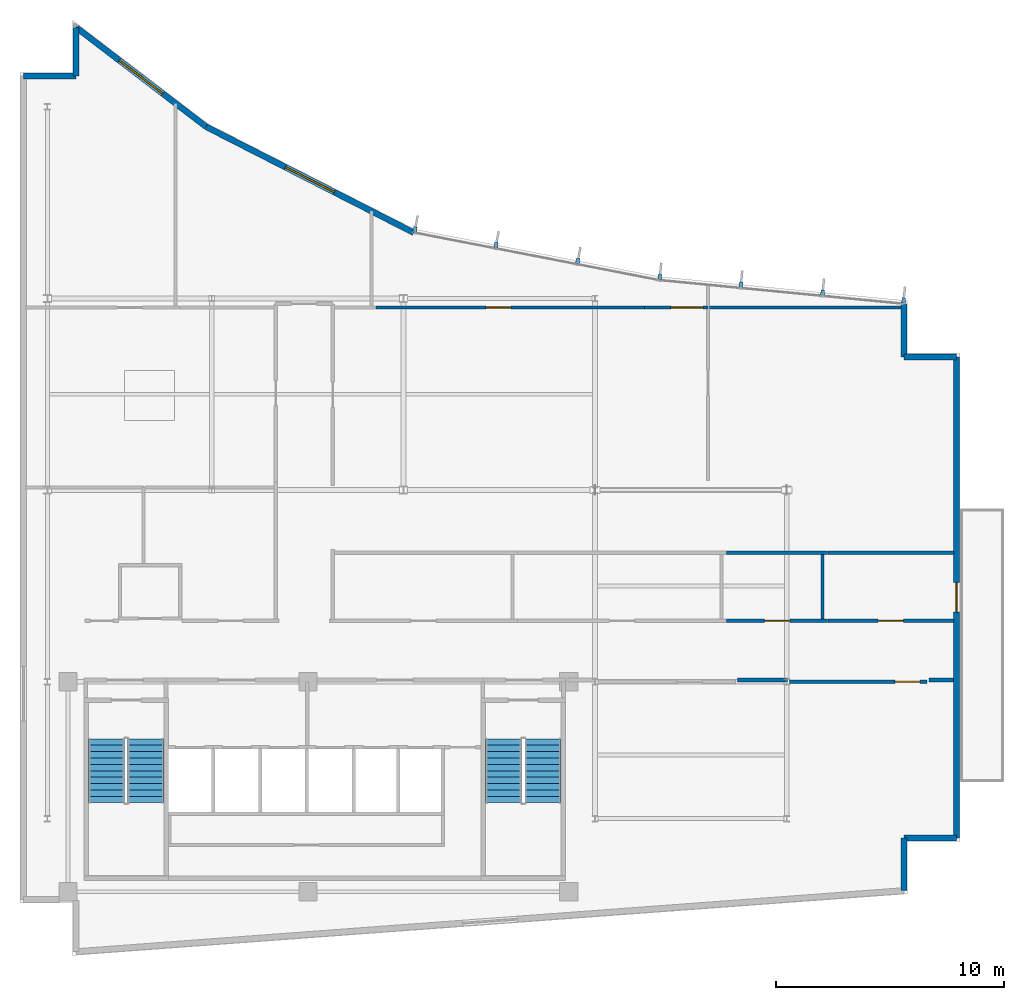
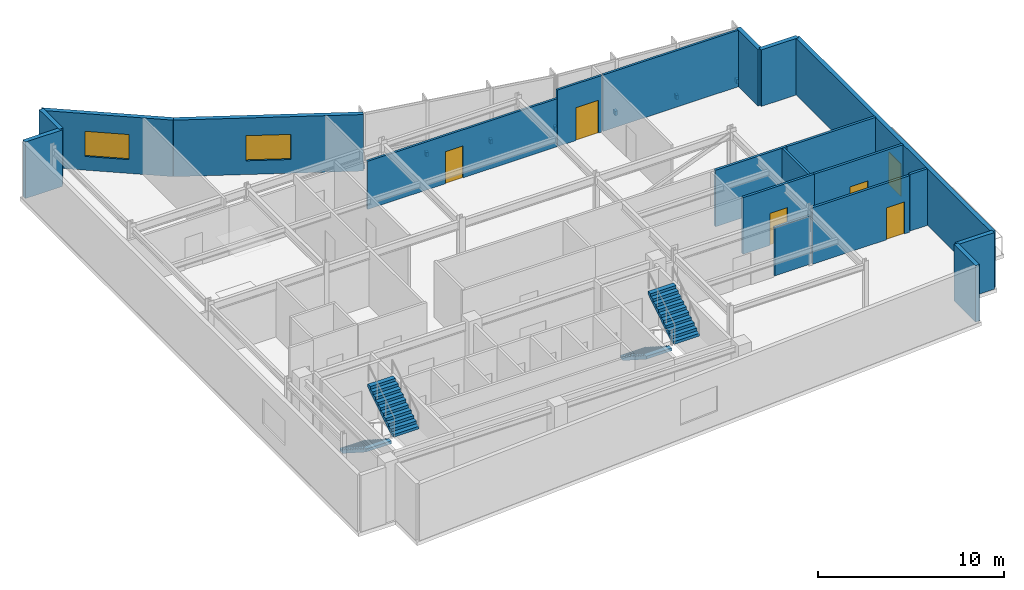
# One storey, part 13 of 16: 20 walls, 7 discrete accessories, 6 doors, 4 stair flights, 2 windows, 8 openings, 2 elements without a shape of their own.
"""IFC4 building model written with IfcOpenShell, lengths in metres."""

from ifc_helpers import new_model, si_unit, direction, frame, frame_2d, origin, origin_2d, place, context, subcontext, project, spatial, polyline, rectangle, outline, extrude, material, layer, layer_set, type_object, element, fill, aggregate, save


model = new_model("IFC4")

# Units and contexts
model_context = context("Model", 3, precision=1e-05, world=origin(), true_north=direction((0.0, 1.0)))
body_context = subcontext(model_context, "Body", "Model", "MODEL_VIEW")
ifc_project = project(units=[si_unit("LENGTHUNIT", "METRE"), si_unit("AREAUNIT", "SQUARE_METRE"), si_unit("VOLUMEUNIT", "CUBIC_METRE"), si_unit("PLANEANGLEUNIT", "RADIAN"), si_unit("MASSUNIT", "GRAM", prefix="KILO")], contexts=[model_context])

# Site, building, storey
site_placement = place(None, origin())
site = spatial("IfcSite", under=ifc_project, at=site_placement, CompositionType="ELEMENT")
building_placement = place(site_placement, origin())
building = spatial("IfcBuilding", under=site, at=building_placement, Name="Varnakote Quay Hospital", CompositionType="ELEMENT")
storey_placement = place(building_placement, frame((0.0, 0.0, 272.35009765625)))
storey = spatial("IfcBuildingStorey", under=building, at=storey_placement, Name="L67", CompositionType="ELEMENT", Elevation=272.35009765625)

# Walls
ifc_material_1 = material(Name="Fire-rated acoustic gypsum stud wall", Category="gypsum")
ifc_layer_1 = layer(ifc_material_1, 0.159912109375)
ifc_layer_set_1 = layer_set([ifc_layer_1], Name="Fire-rated acoustic gypsum stud wall")
wall_type_1 = type_object("IfcWallType", Name="WL-COMP-160", PredefinedType="PARTITIONING", material=ifc_layer_set_1)
wall_1_placement = place(storey_placement, frame((31.439208984375, 12.080078125, 0.0), z_axis=(0.0, 0.0, 1.0), x_axis=(1.0, 0.0, 0.0)))
element("IfcWall", 1, at=wall_1_placement, inside=storey, type_object=wall_type_1, Name="L67 Corridor South Gap Wall", PredefinedType="PARTITIONING", context=body_context, shape_type="SweptSolid", body=[
    extrude(rectangle(XDim=2.198486328125, YDim=0.159912109375, at=frame_2d((1.09912109375, 0.0))), origin(), (0.0, 0.0, 1.0), 3.156982421875),
])
wall_2_placement = place(storey_placement, frame((39.83935546875, 12.080078125, 0.0), z_axis=(0.0, 0.0, 1.0), x_axis=(1.0, 0.0, 0.0)))
element("IfcWall", 2, at=wall_2_placement, inside=storey, type_object=wall_type_1, Name="L67 Corridor South Gap Wall", PredefinedType="PARTITIONING", context=body_context, shape_type="SweptSolid", body=[
    extrude(rectangle(XDim=1.060546875, YDim=0.159912109375, at=frame_2d((0.5302734375, 0.0))), origin(), (0.0, 0.0, 1.0), 3.7099609375),
])
ifc_material_2 = material(Name="Precast concrete N50 (f'c 50 MPa)", Category="concrete")
ifc_layer_2 = layer(ifc_material_2, 0.260009765625)
ifc_layer_set_2 = layer_set([ifc_layer_2], Name="Precast concrete N50 (f'c 50 MPa)")
wall_type_2 = type_object("IfcWallType", Name="WL-EXT-BRICK-260", PredefinedType="STANDARD", material=ifc_layer_set_2)
wall_3_placement = place(storey_placement, frame((38.739990234375, 2.8486328125, 0.0), z_axis=(0.0, 0.0, 1.0), x_axis=(0.0, 1.0, 0.0)))
element("IfcWall", 3, at=wall_3_placement, inside=storey, type_object=wall_type_2, Name="L67 Brick-Faced Precast Exterior Wall", PredefinedType="STANDARD", context=body_context, shape_type="SweptSolid", body=[
    extrude(rectangle(XDim=2.311279296875, YDim=0.260009765625, at=frame_2d((1.15576171875, 0.0))), origin(), (0.0, 0.0, 1.0), 3.7099609375),
])
wall_4_placement = place(storey_placement, frame((38.739990234375, 5.159912109375, 0.0), z_axis=(0.0, 0.0, 1.0), x_axis=(1.0, 0.0, 0.0)))
element("IfcWall", 4, at=wall_4_placement, inside=storey, type_object=wall_type_2, Name="L67 Brick-Faced Precast Exterior Wall", PredefinedType="STANDARD", context=body_context, shape_type="SweptSolid", body=[
    extrude(rectangle(XDim=2.300048828125, YDim=0.260009765625, at=frame_2d((1.14990234375, 0.0))), origin(), (0.0, 0.0, 1.0), 3.7099609375),
])

# Wall, opening, door
wall_5_placement = place(storey_placement, frame((41.0400390625, 5.159912109375, 0.0), z_axis=(0.0, 0.0, 1.0), x_axis=(0.0, 1.0, 0.0)))
wall_5 = element("IfcWall", 5, at=wall_5_placement, inside=storey, type_object=wall_type_2, Name="L67 Healing Terrace Portal Brick Wall", PredefinedType="STANDARD", context=body_context, shape_type="SweptSolid", body=[
    extrude(rectangle(XDim=21.080078125, YDim=0.260009765625, at=frame_2d((10.5400390625, 0.0))), origin(), (0.0, 0.0, 1.0), 3.7099609375),
])
opening_1_placement = place(wall_5_placement, frame((9.889892578125, 0.0, 0.0)))
opening_1 = element("IfcOpeningElement", 6, at=opening_1_placement, cuts=wall_5, Name="Opening DT-L67", PredefinedType="OPENING", context=body_context, shape_type="SweptSolid", body=[
    extrude(rectangle(XDim=1.300048828125, YDim=2.14990234375, at=frame_2d((0.64990234375, 1.074951171875))), frame((0.0, 0.139892578125, 0.0), z_axis=(0.0, -1.0, 0.0), x_axis=(1.0, 0.0, 0.0)), (0.0, 0.0, 1.0), 0.280029296875),
])
ifc_material_3 = material(Name="Anodised aluminium glazed terrace door", Category="aluminium")
door_type_1 = type_object("IfcDoorType", Name="DR-EXT-TERR-1300x2150", OperationType="NOTDEFINED", PredefinedType="DOOR", material=ifc_material_3)
door_1_placement = place(opening_1_placement, origin())
door_1 = element("IfcDoor", 7, at=door_1_placement, inside=storey, type_object=door_type_1, Name="L67 Waterfront Healing Terrace Door", OperationType="SINGLE_SWING_RIGHT", OverallHeight=2.14990234375, OverallWidth=1.300048828125, PredefinedType="DOOR", context=body_context, shape_type="SweptSolid", body=[
    extrude(rectangle(XDim=1.300048828125, YDim=2.14990234375, at=frame_2d((0.64990234375, 1.074951171875))), frame((0.0, 0.02490234375, 0.0), z_axis=(0.0, -1.0, 0.0), x_axis=(1.0, 0.0, 0.0)), (0.0, 0.0, 1.0), 0.050048828125),
])
fill(opening_1, door_1)

# Walls
wall_6_placement = place(storey_placement, frame((41.0400390625, 26.239990234375, 0.0), z_axis=(0.0, 0.0, 1.0), x_axis=(-1.0, 0.0, 0.0)))
element("IfcWall", 8, at=wall_6_placement, inside=storey, type_object=wall_type_2, Name="L67 Brick-Faced Precast Exterior Wall", PredefinedType="STANDARD", context=body_context, shape_type="SweptSolid", body=[
    extrude(rectangle(XDim=2.300048828125, YDim=0.260009765625, at=frame_2d((1.14990234375, 0.0))), origin(), (0.0, 0.0, 1.0), 3.7099609375),
])
wall_7_placement = place(storey_placement, frame((38.739990234375, 26.239990234375, 0.0), z_axis=(0.0, 0.0, 1.0), x_axis=(0.0, 1.0, 0.0)))
element("IfcWall", 9, at=wall_7_placement, inside=storey, type_object=wall_type_2, Name="L67 Brick-Faced Precast Exterior Wall", PredefinedType="STANDARD", context=body_context, shape_type="SweptSolid", body=[
    extrude(rectangle(XDim=2.314697265625, YDim=0.260009765625, at=frame_2d((1.1572265625, 0.0))), origin(), (0.0, 0.0, 1.0), 3.7099609375),
])

# Wall, opening, window
wall_8_placement = place(storey_placement, frame((17.25146484375, 31.68115234375, 0.0), z_axis=(0.0, 0.0, 1.0), x_axis=(-0.89069629535, 0.454598844532, 0.0)))
wall_8 = element("IfcWall", 10, at=wall_8_placement, inside=storey, type_object=wall_type_2, Name="L67 Brick-Faced Precast Exterior Wall", PredefinedType="STANDARD", context=body_context, shape_type="SweptSolid", body=[
    extrude(rectangle(XDim=10.213623046875, YDim=0.260009765625, at=frame_2d((5.10693359375, 0.0))), origin(), (0.0, 0.0, 1.0), 3.7099609375),
])
opening_2_placement = place(wall_8_placement, frame((3.90673828125, 0.0, 0.89990234375)))
opening_2 = element("IfcOpeningElement", 11, at=opening_2_placement, cuts=wall_8, Name="Opening WN-0271", PredefinedType="OPENING", context=body_context, shape_type="SweptSolid", body=[
    extrude(rectangle(XDim=2.39990234375, YDim=1.64990234375, at=frame_2d((1.199951171875, 0.824951171875))), frame((0.0, 0.139892578125, 0.0), z_axis=(0.0, -1.0, 0.0), x_axis=(1.0, 0.0, 0.0)), (0.0, 0.0, 1.0), 0.280029296875),
])
ifc_material_4 = material(Name="Double-glazed low-E solar glass", Category="glass")
window_type = type_object("IfcWindowType", Name="WIN-CLIN-2400x1650", PartitioningType="SINGLE_PANEL", PredefinedType="WINDOW", material=ifc_material_4)
window_1_placement = place(opening_2_placement, origin())
window_1 = element("IfcWindow", 12, at=window_1_placement, inside=storey, type_object=window_type, Name="L67 Solar-Control Clinical Window", OverallHeight=1.64990234375, OverallWidth=2.39990234375, PartitioningType="SINGLE_PANEL", PredefinedType="WINDOW", context=body_context, shape_type="SweptSolid", body=[
    extrude(rectangle(XDim=2.39990234375, YDim=1.64990234375, at=frame_2d((1.199951171875, 0.824951171875))), frame((0.0, 0.030029296875, 0.0), z_axis=(0.0, -1.0, 0.0), x_axis=(1.0, 0.0, 0.0)), (0.0, 0.0, 1.0), 0.06005859375),
])
fill(opening_2, window_1)

wall_9_placement = place(storey_placement, frame((8.154296875, 36.32421875, 0.0), z_axis=(0.0, 0.0, 1.0), x_axis=(-0.794522176632, 0.607235136368, 0.0)))
wall_9 = element("IfcWall", 13, at=wall_9_placement, inside=storey, type_object=wall_type_2, Name="L67 Brick-Faced Precast Exterior Wall", PredefinedType="STANDARD", context=body_context, shape_type="SweptSolid", body=[
    extrude(rectangle(XDim=7.1669921875, YDim=0.260009765625, at=frame_2d((3.58349609375, 0.0))), origin(), (0.0, 0.0, 1.0), 3.7099609375),
])
opening_3_placement = place(wall_9_placement, frame((2.383544921875, 0.0, 0.89990234375)))
opening_3 = element("IfcOpeningElement", 14, at=opening_3_placement, cuts=wall_9, Name="Opening WN-0272", PredefinedType="OPENING", context=body_context, shape_type="SweptSolid", body=[
    extrude(rectangle(XDim=2.39990234375, YDim=1.64990234375, at=frame_2d((1.199951171875, 0.824951171875))), frame((0.0, 0.139892578125, 0.0), z_axis=(0.0, -1.0, 0.0), x_axis=(1.0, 0.0, 0.0)), (0.0, 0.0, 1.0), 0.280029296875),
])
window_2_placement = place(opening_3_placement, origin())
window_2 = element("IfcWindow", 15, at=window_2_placement, inside=storey, type_object=window_type, Name="L67 Solar-Control Clinical Window", OverallHeight=1.64990234375, OverallWidth=2.39990234375, PartitioningType="SINGLE_PANEL", PredefinedType="WINDOW", context=body_context, shape_type="SweptSolid", body=[
    extrude(rectangle(XDim=2.39990234375, YDim=1.64990234375, at=frame_2d((1.199951171875, 0.824951171875))), frame((0.0, 0.030029296875, 0.0), z_axis=(0.0, -1.0, 0.0), x_axis=(1.0, 0.0, 0.0)), (0.0, 0.0, 1.0), 0.06005859375),
])
fill(opening_3, window_2)

# Walls
wall_10_placement = place(storey_placement, frame((2.4599609375, 40.67626953125, 0.0), z_axis=(0.0, 0.0, 1.0), x_axis=(0.0, -1.0, 0.0)))
element("IfcWall", 16, at=wall_10_placement, inside=storey, type_object=wall_type_2, Name="L67 Brick-Faced Precast Exterior Wall", PredefinedType="STANDARD", context=body_context, shape_type="SweptSolid", body=[
    extrude(rectangle(XDim=2.13623046875, YDim=0.260009765625, at=frame_2d((1.068115234375, 0.0))), origin(), (0.0, 0.0, 1.0), 3.7099609375),
])
wall_11_placement = place(storey_placement, frame((2.4599609375, 38.5400390625, 0.0), z_axis=(0.0, 0.0, 1.0), x_axis=(-1.0, 0.0, 0.0)))
element("IfcWall", 17, at=wall_11_placement, inside=storey, type_object=wall_type_2, Name="L67 Brick-Faced Precast Exterior Wall", PredefinedType="STANDARD", context=body_context, shape_type="SweptSolid", body=[
    extrude(rectangle(XDim=2.300048828125, YDim=0.260009765625, at=frame_2d((1.14990234375, 0.0))), origin(), (0.0, 0.0, 1.0), 3.7099609375),
])
ifc_material_5 = material(Name="Smoke-proof clinical partition", Category="gypsum")
ifc_layer_3 = layer(ifc_material_5, 0.135009765625)
ifc_layer_set_3 = layer_set([ifc_layer_3], Name="Smoke-proof clinical partition")
wall_type_3 = type_object("IfcWallType", Name="WL-SMOKE-135", PredefinedType="PARTITIONING", material=ifc_layer_set_3)
wall_12_placement = place(storey_placement, frame((35.169921875, 14.760009765625, 0.0), z_axis=(0.0, 0.0, 1.0), x_axis=(0.0, 1.0, 0.0)))
element("IfcWall", 18, at=wall_12_placement, inside=storey, type_object=wall_type_3, Name="L67 Clinical Interior Partition", PredefinedType="PARTITIONING", context=body_context, shape_type="SweptSolid", body=[
    extrude(rectangle(XDim=2.81005859375, YDim=0.135009765625, at=frame_2d((1.405029296875, 0.0))), origin(), (0.0, 0.0, 1.0), 3.7099609375),
])

# Wall, opening, door
wall_13_placement = place(storey_placement, frame((27.3583984375, 28.39990234375, 0.0), z_axis=(0.0, 0.0, 1.0), x_axis=(-1.0, 0.0, 0.0)))
wall_13 = element("IfcWall", 19, at=wall_13_placement, inside=storey, type_object=wall_type_3, Name="L67 Clinical Interior Partition", PredefinedType="PARTITIONING", context=body_context, shape_type="SweptSolid", body=[
    extrude(rectangle(XDim=11.767822265625, YDim=0.135009765625, at=frame_2d((5.8837890625, 0.0))), origin(), (0.0, 0.0, 1.0), 3.156982421875),
])
opening_4_placement = place(wall_13_placement, frame((5.847412109375, 0.0, 0.0)))
opening_4 = element("IfcOpeningElement", 20, at=opening_4_placement, cuts=wall_13, Name="Opening D-L67-MD11", PredefinedType="OPENING", context=body_context, shape_type="SweptSolid", body=[
    extrude(rectangle(XDim=1.10009765625, YDim=2.10009765625, at=frame_2d((0.550048828125, 1.050048828125))), frame((0.0, 0.077392578125, 0.0), z_axis=(0.0, -1.0, 0.0), x_axis=(1.0, 0.0, 0.0)), (0.0, 0.0, 1.0), 0.155029296875),
])
ifc_material_6 = material(Name="Acoustic timber clinical consult door", Category="wood")
door_type_2 = type_object("IfcDoorType", Name="DR-CLIN-FD30S-1100x2100", OperationType="NOTDEFINED", PredefinedType="DOOR", material=ifc_material_6)
door_2_placement = place(opening_4_placement, origin())
door_2 = element("IfcDoor", 21, at=door_2_placement, inside=storey, type_object=door_type_2, Name="L67 Clinical Audit Meeting Room Door", OperationType="SINGLE_SWING_LEFT", OverallHeight=2.10009765625, OverallWidth=1.10009765625, PredefinedType="DOOR", context=body_context, shape_type="SweptSolid", body=[
    extrude(rectangle(XDim=1.10009765625, YDim=2.10009765625, at=frame_2d((0.550048828125, 1.050048828125))), frame((0.0, 0.02490234375, 0.0), z_axis=(0.0, -1.0, 0.0), x_axis=(1.0, 0.0, 0.0)), (0.0, 0.0, 1.0), 0.050048828125),
])
fill(opening_4, door_2)

wall_14_placement = place(storey_placement, frame((30.14990234375, 28.39990234375, 0.0), z_axis=(0.0, 0.0, 1.0), x_axis=(-1.0, 0.0, 0.0)))
wall_14 = element("IfcWall", 22, at=wall_14_placement, inside=storey, type_object=wall_type_3, Name="L67 Clinical Interior Partition", PredefinedType="PARTITIONING", context=body_context, shape_type="SweptSolid", body=[
    extrude(rectangle(XDim=2.789306640625, YDim=0.135009765625, at=frame_2d((1.39453125, 0.0))), origin(), (0.0, 0.0, 1.0), 3.7099609375),
])
opening_5_placement = place(wall_14_placement, frame((0.224609375, 0.0, 0.0)))
opening_5 = element("IfcOpeningElement", 23, at=opening_5_placement, cuts=wall_14, Name="Opening D-L67-UST01", PredefinedType="OPENING", context=body_context, shape_type="SweptSolid", body=[
    extrude(rectangle(XDim=1.39990234375, YDim=2.14990234375, at=frame_2d((0.699951171875, 1.074951171875))), frame((0.0, 0.077392578125, 0.0), z_axis=(0.0, -1.0, 0.0), x_axis=(1.0, 0.0, 0.0)), (0.0, 0.0, 1.0), 0.155029296875),
])
ifc_material_7 = material(Name="Fire-rated acoustic plant room door")
door_type_3 = type_object("IfcDoorType", Name="DR-PLANT-FD60-1400x2150", OperationType="NOTDEFINED", PredefinedType="DOOR", material=ifc_material_7)
door_3_placement = place(opening_5_placement, origin())
door_3 = element("IfcDoor", 24, at=door_3_placement, inside=storey, type_object=door_type_3, Name="L67 Ward Clean Equipment Store 01 Door", OperationType="SINGLE_SWING_RIGHT", OverallHeight=2.14990234375, OverallWidth=1.39990234375, PredefinedType="DOOR", context=body_context, shape_type="SweptSolid", body=[
    extrude(rectangle(XDim=1.39990234375, YDim=2.14990234375, at=frame_2d((0.699951171875, 1.074951171875))), frame((0.0, 0.02490234375, 0.0), z_axis=(0.0, -1.0, 0.0), x_axis=(1.0, 0.0, 0.0)), (0.0, 0.0, 1.0), 0.050048828125),
])
fill(opening_5, door_3)

# Wall
wall_15_placement = place(storey_placement, frame((38.739990234375, 28.39990234375, 0.0), z_axis=(0.0, 0.0, 1.0), x_axis=(-1.0, 0.0, 0.0)))
element("IfcWall", 25, at=wall_15_placement, inside=storey, type_object=wall_type_3, Name="L67 Clinical Interior Partition", PredefinedType="PARTITIONING", context=body_context, shape_type="SweptSolid", body=[
    extrude(rectangle(XDim=8.532470703125, YDim=0.135009765625, at=frame_2d((4.26611328125, 0.0))), origin(), (0.0, 0.0, 1.0), 3.7099609375),
])

# Wall, opening, door
ifc_material_8 = material(Name="Fire-rated clinical gypsum partition", Category="gypsum")
ifc_layer_4 = layer(ifc_material_8, 0.14990234375)
ifc_layer_set_4 = layer_set([ifc_layer_4], Name="Fire-rated clinical gypsum partition")
wall_type_4 = type_object("IfcWallType", Name="WL-WARD-150", PredefinedType="PARTITIONING", material=ifc_layer_set_4)
wall_16_placement = place(storey_placement, frame((39.75, 12.0, 0.0), z_axis=(0.0, 0.0, 1.0), x_axis=(-1.0, 0.0, 0.0)))
wall_16 = element("IfcWall", 26, at=wall_16_placement, inside=storey, type_object=wall_type_4, Name="L67 Clinical Interior Partition", PredefinedType="PARTITIONING", context=body_context, shape_type="SweptSolid", body=[
    extrude(rectangle(XDim=6.02294921875, YDim=0.14990234375, at=frame_2d((3.011474609375, 0.0))), origin(), (0.0, 0.0, 1.0), 3.7099609375),
])
opening_6_placement = place(wall_16_placement, frame((0.31298828125, 0.0, 0.0)))
opening_6 = element("IfcOpeningElement", 27, at=opening_6_placement, cuts=wall_16, Name="Opening D-L67-RM1", PredefinedType="OPENING", context=body_context, shape_type="SweptSolid", body=[
    extrude(rectangle(XDim=1.10009765625, YDim=2.10009765625, at=frame_2d((0.550048828125, 1.050048828125))), frame((0.0, 0.0849609375, 0.0), z_axis=(0.0, -1.0, 0.0), x_axis=(1.0, 0.0, 0.0)), (0.0, 0.0, 1.0), 0.169921875),
])
door_4_placement = place(opening_6_placement, origin())
door_4 = element("IfcDoor", 28, at=door_4_placement, inside=storey, type_object=door_type_2, Name="L67 Cardiac Telemetry Treatment Suite Door", OperationType="SINGLE_SWING_LEFT", OverallHeight=2.10009765625, OverallWidth=1.10009765625, PredefinedType="DOOR", context=body_context, shape_type="SweptSolid", body=[
    extrude(rectangle(XDim=1.10009765625, YDim=2.10009765625, at=frame_2d((0.550048828125, 1.050048828125))), frame((0.0, 0.02490234375, 0.0), z_axis=(0.0, -1.0, 0.0), x_axis=(1.0, 0.0, 0.0)), (0.0, 0.0, 1.0), 0.050048828125),
])
fill(opening_6, door_4)

wall_17_placement = place(storey_placement, frame((35.39599609375, 14.679931640625, 0.0), z_axis=(0.0, 0.0, 1.0), x_axis=(-1.0, 0.0, 0.0)))
wall_17 = element("IfcWall", 29, at=wall_17_placement, inside=storey, type_object=wall_type_4, Name="L67 Clinical Interior Partition", PredefinedType="PARTITIONING", context=body_context, shape_type="SweptSolid", body=[
    extrude(rectangle(XDim=4.427978515625, YDim=0.14990234375, at=frame_2d((2.2138671875, 0.0))), origin(), (0.0, 0.0, 1.0), 3.7099609375),
])
opening_7_placement = place(wall_17_placement, frame((1.6640625, 0.0, 0.0)))
opening_7 = element("IfcOpeningElement", 30, at=opening_7_placement, cuts=wall_17, Name="Opening D-L67-MD05", PredefinedType="OPENING", context=body_context, shape_type="SweptSolid", body=[
    extrude(rectangle(XDim=1.10009765625, YDim=2.10009765625, at=frame_2d((0.550048828125, 1.050048828125))), frame((0.0, 0.0849609375, 0.0), z_axis=(0.0, -1.0, 0.0), x_axis=(1.0, 0.0, 0.0)), (0.0, 0.0, 1.0), 0.169921875),
])
door_5_placement = place(opening_7_placement, origin())
door_5 = element("IfcDoor", 31, at=door_5_placement, inside=storey, type_object=door_type_2, Name="L67 Surgical Fellowship Teaching Room Door", OperationType="SINGLE_SWING_RIGHT", OverallHeight=2.10009765625, OverallWidth=1.10009765625, PredefinedType="DOOR", context=body_context, shape_type="SweptSolid", body=[
    extrude(rectangle(XDim=1.10009765625, YDim=2.10009765625, at=frame_2d((0.550048828125, 1.050048828125))), frame((0.0, 0.02490234375, 0.0), z_axis=(0.0, -1.0, 0.0), x_axis=(1.0, 0.0, 0.0)), (0.0, 0.0, 1.0), 0.050048828125),
])
fill(opening_7, door_5)

wall_18_placement = place(storey_placement, frame((40.919921875, 14.679931640625, 0.0), z_axis=(0.0, 0.0, 1.0), x_axis=(-1.0, 0.0, 0.0)))
wall_18 = element("IfcWall", 32, at=wall_18_placement, inside=storey, type_object=wall_type_4, Name="L67 Clinical Interior Partition", PredefinedType="PARTITIONING", context=body_context, shape_type="SweptSolid", body=[
    extrude(rectangle(XDim=5.52197265625, YDim=0.14990234375, at=frame_2d((2.760986328125, 0.0))), origin(), (0.0, 0.0, 1.0), 3.7099609375),
])
opening_8_placement = place(wall_18_placement, frame((2.2109375, 0.0, 0.0)))
opening_8 = element("IfcOpeningElement", 33, at=opening_8_placement, cuts=wall_18, Name="Opening D-L67-DLNG", PredefinedType="OPENING", context=body_context, shape_type="SweptSolid", body=[
    extrude(rectangle(XDim=1.10009765625, YDim=2.10009765625, at=frame_2d((0.550048828125, 1.050048828125))), frame((0.0, 0.0849609375, 0.0), z_axis=(0.0, -1.0, 0.0), x_axis=(1.0, 0.0, 0.0)), (0.0, 0.0, 1.0), 0.169921875),
])
door_6_placement = place(opening_8_placement, origin())
door_6 = element("IfcDoor", 34, at=door_6_placement, inside=storey, type_object=door_type_2, Name="L67 Waterfront Patient & Family Dayroom Door", OperationType="SINGLE_SWING_LEFT", OverallHeight=2.10009765625, OverallWidth=1.10009765625, PredefinedType="DOOR", context=body_context, shape_type="SweptSolid", body=[
    extrude(rectangle(XDim=1.10009765625, YDim=2.10009765625, at=frame_2d((0.550048828125, 1.050048828125))), frame((0.0, 0.02490234375, 0.0), z_axis=(0.0, -1.0, 0.0), x_axis=(1.0, 0.0, 0.0)), (0.0, 0.0, 1.0), 0.050048828125),
])
fill(opening_8, door_6)

# Walls
wall_19_placement = place(storey_placement, frame((30.968017578125, 17.64990234375, 0.0), z_axis=(0.0, 0.0, 1.0), x_axis=(1.0, 0.0, 0.0)))
element("IfcWall", 35, at=wall_19_placement, inside=storey, type_object=wall_type_4, Name="L67 Clinical Interior Partition", PredefinedType="PARTITIONING", context=body_context, shape_type="SweptSolid", body=[
    extrude(rectangle(XDim=4.427978515625, YDim=0.14990234375, at=frame_2d((2.2138671875, 0.0))), origin(), (0.0, 0.0, 1.0), 3.7099609375),
])
wall_20_placement = place(storey_placement, frame((35.39794921875, 17.64990234375, 0.0), z_axis=(0.0, 0.0, 1.0), x_axis=(1.0, 0.0, 0.0)))
element("IfcWall", 36, at=wall_20_placement, inside=storey, type_object=wall_type_4, Name="L67 Clinical Interior Partition", PredefinedType="PARTITIONING", context=body_context, shape_type="SweptSolid", body=[
    extrude(rectangle(XDim=5.52197265625, YDim=0.14990234375, at=frame_2d((2.760986328125, 0.0))), origin(), (0.0, 0.0, 1.0), 3.7099609375),
])

# Stair, stair flights
ifc_material_9 = material(Name="Concrete N40 (f'c 40 MPa)", Category="concrete")
stair_type = type_object("IfcStairType", Name="STR-CORE-1580", PredefinedType="HALF_TURN_STAIR", material=ifc_material_9)
stair_1_placement = place(storey_placement, origin())
stair_1 = element("IfcStair", 37, at=stair_1_placement, inside=storey, type_object=stair_type, Name="L67 Fire-Isolated Exit Stair ST-01", PredefinedType="HALF_TURN_STAIR")
ifc_material_10 = material(Name="Concrete N40 (f'c 40 MPa)", Category="concrete")
ifc_layer_5 = layer(ifc_material_10, 0.159912109375)
ifc_layer_set_5 = layer_set([ifc_layer_5], Name="Concrete N40 (f'c 40 MPa)")
stair_flight_type = type_object("IfcStairFlightType", Name="FLT-CORE-1580", PredefinedType="STRAIGHT", material=ifc_layer_set_5)
stair_flight_1_placement = place(storey_placement, frame((3.7900390625, 9.5, 0.0), z_axis=(0.0, 0.0, 1.0), x_axis=(0.0, -1.0, 0.0)))
stair_flight_1 = element("IfcStairFlight", 38, at=stair_flight_1_placement, type_object=stair_flight_type, Name="ST-01 flight 1", NumberOfRisers=11, NumberOfTreads=10, PredefinedType="STRAIGHT", RiserHeight=0.179545455, TreadLength=0.28, context=body_context, shape_type="SweptSolid", body=[
    extrude(outline(polyline([(0.0, 0.0), (0.0, 0.179443359375), (0.280029296875, 0.179443359375), (0.280029296875, 0.359130859375), (0.56005859375, 0.359130859375), (0.56005859375, 0.53857421875), (0.840087890625, 0.53857421875), (0.840087890625, 0.71826171875), (1.1201171875, 0.71826171875), (1.1201171875, 0.897705078125), (1.39990234375, 0.897705078125), (1.39990234375, 1.077392578125), (1.679931640625, 1.077392578125), (1.679931640625, 1.2568359375), (1.9599609375, 1.2568359375), (1.9599609375, 1.436279296875), (2.239990234375, 1.436279296875), (2.239990234375, 1.615966796875), (2.52001953125, 1.615966796875), (2.52001953125, 1.79541015625), (2.800048828125, 1.79541015625), (2.800048828125, 1.97509765625), (2.800048828125, 1.60546875), (0.296142578125, 0.0), (0.0, 0.0)])), frame((0.0, 0.7900390625, 0.0), z_axis=(0.0, -1.0, 0.0), x_axis=(1.0, 0.0, 0.0)), (0.0, 0.0, 1.0), 1.580078125),
])
stair_flight_2_placement = place(storey_placement, frame((5.510009765625, 6.699951171875, 1.974853515625), z_axis=(0.0, 0.0, 1.0), x_axis=(0.0, 1.0, 0.0)))
stair_flight_2 = element("IfcStairFlight", 39, at=stair_flight_2_placement, type_object=stair_flight_type, Name="ST-01 flight 2", NumberOfRisers=11, NumberOfTreads=10, PredefinedType="STRAIGHT", RiserHeight=0.179545455, TreadLength=0.28, context=body_context, shape_type="SweptSolid", body=[
    extrude(outline(polyline([(0.0, 0.0), (0.0, 0.179443359375), (0.280029296875, 0.179443359375), (0.280029296875, 0.359130859375), (0.56005859375, 0.359130859375), (0.56005859375, 0.53857421875), (0.840087890625, 0.53857421875), (0.840087890625, 0.71826171875), (1.1201171875, 0.71826171875), (1.1201171875, 0.897705078125), (1.39990234375, 0.897705078125), (1.39990234375, 1.077392578125), (1.679931640625, 1.077392578125), (1.679931640625, 1.2568359375), (1.9599609375, 1.2568359375), (1.9599609375, 1.436279296875), (2.239990234375, 1.436279296875), (2.239990234375, 1.615966796875), (2.52001953125, 1.615966796875), (2.52001953125, 1.79541015625), (2.800048828125, 1.79541015625), (2.800048828125, 1.97509765625), (2.800048828125, 1.60546875), (0.296142578125, 0.0), (0.0, 0.0)])), frame((0.0, 0.7900390625, 0.0), z_axis=(0.0, -1.0, 0.0), x_axis=(1.0, 0.0, 0.0)), (0.0, 0.0, 1.0), 1.580078125),
])
aggregate(stair_1, [stair_flight_1, stair_flight_2])

stair_2_placement = place(storey_placement, origin())
stair_2 = element("IfcStair", 40, at=stair_2_placement, inside=storey, type_object=stair_type, Name="L67 Fire-Isolated Exit Stair ST-02", PredefinedType="HALF_TURN_STAIR")
stair_flight_3_placement = place(storey_placement, frame((21.18994140625, 9.5, 0.0), z_axis=(0.0, 0.0, 1.0), x_axis=(0.0, -1.0, 0.0)))
stair_flight_3 = element("IfcStairFlight", 41, at=stair_flight_3_placement, type_object=stair_flight_type, Name="ST-02 flight 1", NumberOfRisers=11, NumberOfTreads=10, PredefinedType="STRAIGHT", RiserHeight=0.179545455, TreadLength=0.28, context=body_context, shape_type="SweptSolid", body=[
    extrude(outline(polyline([(0.0, 0.0), (0.0, 0.179443359375), (0.280029296875, 0.179443359375), (0.280029296875, 0.359130859375), (0.56005859375, 0.359130859375), (0.56005859375, 0.53857421875), (0.840087890625, 0.53857421875), (0.840087890625, 0.71826171875), (1.1201171875, 0.71826171875), (1.1201171875, 0.897705078125), (1.39990234375, 0.897705078125), (1.39990234375, 1.077392578125), (1.679931640625, 1.077392578125), (1.679931640625, 1.2568359375), (1.9599609375, 1.2568359375), (1.9599609375, 1.436279296875), (2.239990234375, 1.436279296875), (2.239990234375, 1.615966796875), (2.52001953125, 1.615966796875), (2.52001953125, 1.79541015625), (2.800048828125, 1.79541015625), (2.800048828125, 1.97509765625), (2.800048828125, 1.60546875), (0.296142578125, 0.0), (0.0, 0.0)])), frame((0.0, 0.7900390625, 0.0), z_axis=(0.0, -1.0, 0.0), x_axis=(1.0, 0.0, 0.0)), (0.0, 0.0, 1.0), 1.580078125),
])
stair_flight_4_placement = place(storey_placement, frame((22.909912109375, 6.699951171875, 1.974853515625), z_axis=(0.0, 0.0, 1.0), x_axis=(0.0, 1.0, 0.0)))
stair_flight_4 = element("IfcStairFlight", 42, at=stair_flight_4_placement, type_object=stair_flight_type, Name="ST-02 flight 2", NumberOfRisers=11, NumberOfTreads=10, PredefinedType="STRAIGHT", RiserHeight=0.179545455, TreadLength=0.28, context=body_context, shape_type="SweptSolid", body=[
    extrude(outline(polyline([(0.0, 0.0), (0.0, 0.179443359375), (0.280029296875, 0.179443359375), (0.280029296875, 0.359130859375), (0.56005859375, 0.359130859375), (0.56005859375, 0.53857421875), (0.840087890625, 0.53857421875), (0.840087890625, 0.71826171875), (1.1201171875, 0.71826171875), (1.1201171875, 0.897705078125), (1.39990234375, 0.897705078125), (1.39990234375, 1.077392578125), (1.679931640625, 1.077392578125), (1.679931640625, 1.2568359375), (1.9599609375, 1.2568359375), (1.9599609375, 1.436279296875), (2.239990234375, 1.436279296875), (2.239990234375, 1.615966796875), (2.52001953125, 1.615966796875), (2.52001953125, 1.79541015625), (2.800048828125, 1.79541015625), (2.800048828125, 1.97509765625), (2.800048828125, 1.60546875), (0.296142578125, 0.0), (0.0, 0.0)])), frame((0.0, 0.7900390625, 0.0), z_axis=(0.0, -1.0, 0.0), x_axis=(1.0, 0.0, 0.0)), (0.0, 0.0, 1.0), 1.580078125),
])
aggregate(stair_2, [stair_flight_3, stair_flight_4])

# Discrete accessories
ifc_material_11 = material(Name="Anodised aluminium 6063-T6 Bronze", Category="aluminium")
discrete_accessory_type = type_object("IfcDiscreteAccessoryType", Name="ACC-FIN-BRACKET-180", PredefinedType="BRACKET", material=ifc_material_11)
for number, where, z_axis, x_axis, name in (
    (43, (38.72216796875, 28.707275390625, 0.0), (0.0, 0.0, 1.0), (-0.995329042842, 0.096540646748, 0.0), "L67 Curtain Wall Fin Fixing Bracket"),
    (44, (35.172119140625, 29.0517578125, 0.0), (0.0, 0.0, 1.0), (-0.995329042842, 0.096540646748, 0.0), "L67 Curtain Wall Fin Fixing Bracket"),
    (45, (31.58984375, 29.399169921875, 0.0), (0.0, 0.0, 1.0), (-0.995329042842, 0.096540646748, 0.0), "L67 Curtain Wall Fin Fixing Bracket"),
    (46, (28.039794921875, 29.74365234375, 0.0), (0.0, 0.0, 1.0), (-0.995329042842, 0.096540646748, 0.0), "L67 Curtain Wall Fin Fixing Bracket"),
    (47, (24.44091796875, 30.439208984375, 0.0), (0.0, 0.0, 1.0), (-0.981693728546, 0.190466331231, 0.0), "L67 Curtain Wall Fin Fixing Bracket"),
    (48, (20.860595703125, 31.1337890625, 0.0), (0.0, 0.0, 1.0), (-0.981693728546, 0.190466331231, 0.0), "L67 Curtain Wall Fin Fixing Bracket"),
    (49, (17.31201171875, 31.822265625, 0.0), (0.0, 0.0, 1.0), (-0.981693728546, 0.190466331231, 0.0), "L67 Curtain Wall Fin Fixing Bracket"),
):
    element("IfcDiscreteAccessory", number, at=place(storey_placement, frame(where, z_axis=z_axis, x_axis=x_axis)), inside=storey, type_object=discrete_accessory_type, Name=name, PredefinedType="BRACKET", context=body_context, shape_type="SweptSolid", body=[
        extrude(rectangle(XDim=0.159912109375, YDim=0.239990234375, at=origin_2d()), origin(), (0.0, 0.0, 1.0), 0.280029296875),
    ])

save(model, "model.ifc")
